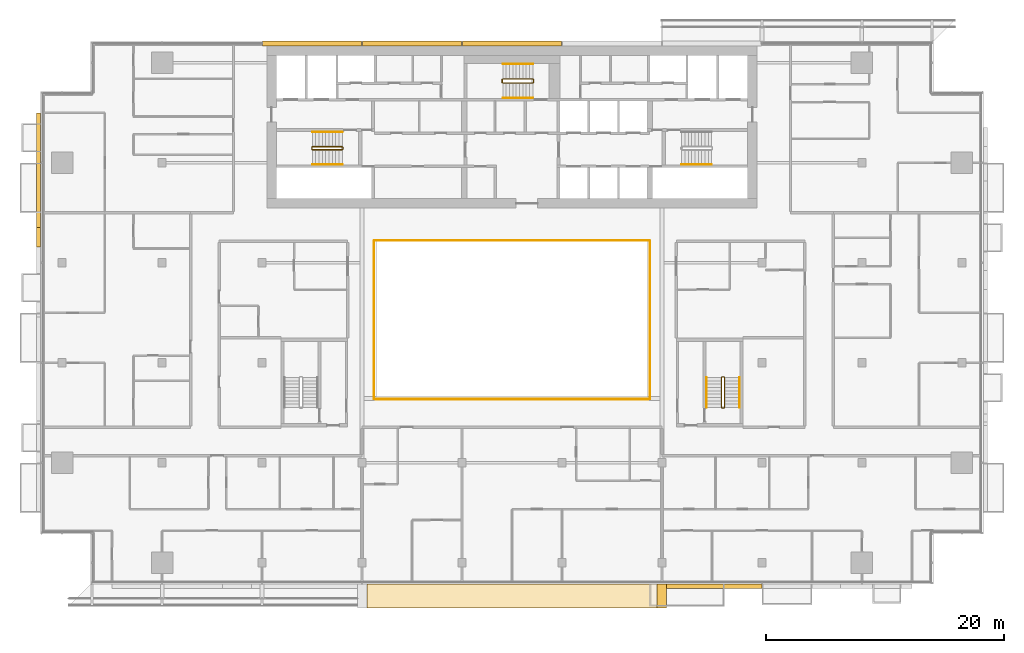
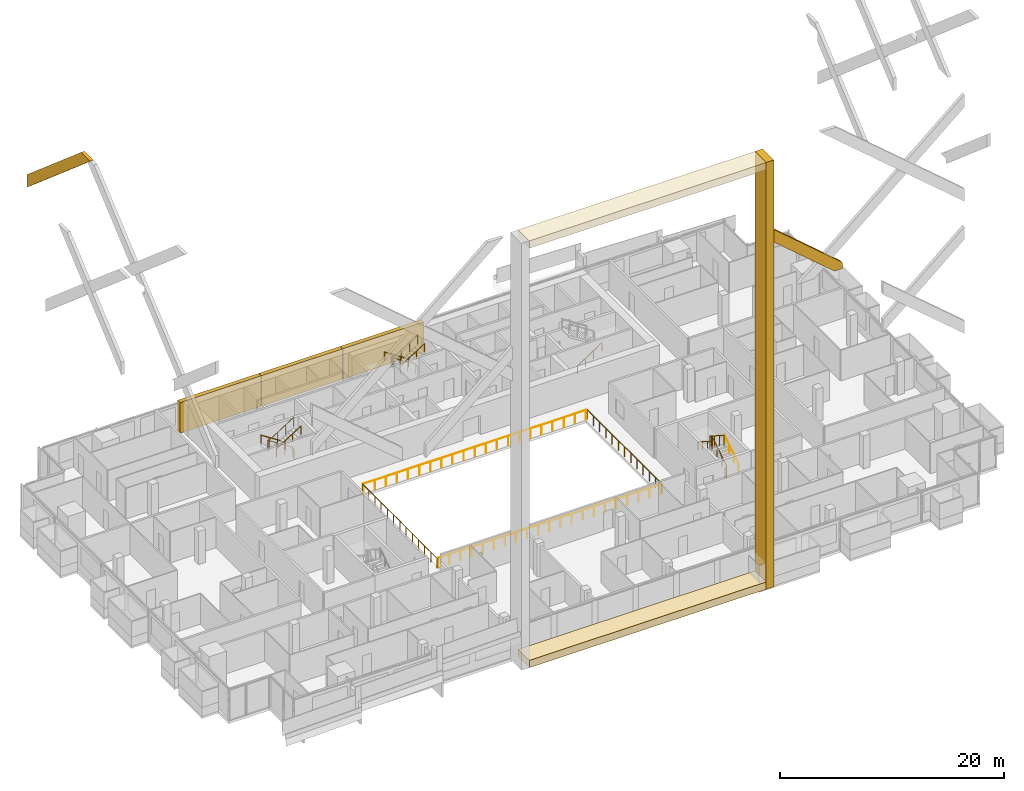
# One storey, part 28 of 31: 14 railings, 8 coverings.
"""IFC4 building model written with IfcOpenShell, lengths in metres."""

from ifc_helpers import new_model, si_unit, direction, frame, origin, origin_2d, place, context, subcontext, project, spatial, polyline, circle, outline, extrude, material, layer, layer_set, type_object, element, save


model = new_model("IFC4")

# Units and contexts
model_context = context("Model", 3, precision=1e-05, world=origin(), true_north=direction((0.0, 1.0)))
body_context = subcontext(model_context, "Body", "Model", "MODEL_VIEW")
ifc_project = project(units=[si_unit("LENGTHUNIT", "METRE"), si_unit("AREAUNIT", "SQUARE_METRE"), si_unit("VOLUMEUNIT", "CUBIC_METRE"), si_unit("PLANEANGLEUNIT", "RADIAN"), si_unit("MASSUNIT", "GRAM", prefix="KILO")], contexts=[model_context])

# Site, building, storey
site_placement = place(None, origin())
site = spatial("IfcSite", under=ifc_project, at=site_placement, CompositionType="ELEMENT")
building_placement = place(site_placement, origin())
building = spatial("IfcBuilding", under=site, at=building_placement, Name="Saffron Gate Tower", CompositionType="ELEMENT")
storey_placement = place(building_placement, frame((0.0, 0.0, 147.449951171875)))
storey = spatial("IfcBuildingStorey", under=building, at=storey_placement, Name="L35", CompositionType="ELEMENT", Elevation=147.449951171875)

# Railings
ifc_material_1 = material(Name="Stainless steel and laminated glass", Category="steel")
railing_type_1 = type_object("IfcRailingType", Name="AG1 Atrium edge guard 1100", PredefinedType="GUARDRAIL", material=ifc_material_1)
railing_1_placement = place(storey_placement, frame((76.02001953125, 45.5400390625, 0.0)))
element("IfcRailing", 1, at=railing_1_placement, inside=storey, type_object=railing_type_1, Name="Guard C1-1", PredefinedType="GUARDRAIL", context=body_context, shape_type="SweptSolid", body=[
    extrude(circle(Radius=0.02392578125, at=origin_2d()), frame((0.0, 0.0, 1.076171875), z_axis=(0.0, 1.0, 0.0), x_axis=(-1.0, 0.0, 0.0)), (0.0, 0.0, 1.0), 13.320068359375),
    extrude(circle(Radius=0.02099609375, at=origin_2d()), origin(), (0.0, 0.0, 1.0), 1.052001953125),
    extrude(circle(Radius=0.02099609375, at=origin_2d()), frame((0.0, 1.110107421875, 0.0)), (0.0, 0.0, 1.0), 1.052001953125),
    extrude(circle(Radius=0.02099609375, at=origin_2d()), frame((0.0, 2.219970703125, 0.0)), (0.0, 0.0, 1.0), 1.052001953125),
    extrude(circle(Radius=0.02099609375, at=origin_2d()), frame((0.0, 3.330078125, 0.0)), (0.0, 0.0, 1.0), 1.052001953125),
    extrude(circle(Radius=0.02099609375, at=origin_2d()), frame((0.0, 4.43994140625, 0.0)), (0.0, 0.0, 1.0), 1.052001953125),
    extrude(circle(Radius=0.02099609375, at=origin_2d()), frame((0.0, 5.550048828125, 0.0)), (0.0, 0.0, 1.0), 1.052001953125),
    extrude(circle(Radius=0.02099609375, at=origin_2d()), frame((0.0, 6.66015625, 0.0)), (0.0, 0.0, 1.0), 1.052001953125),
    extrude(circle(Radius=0.02099609375, at=origin_2d()), frame((0.0, 7.77001953125, 0.0)), (0.0, 0.0, 1.0), 1.052001953125),
    extrude(circle(Radius=0.02099609375, at=origin_2d()), frame((0.0, 8.880126953125, 0.0)), (0.0, 0.0, 1.0), 1.052001953125),
    extrude(circle(Radius=0.02099609375, at=origin_2d()), frame((0.0, 9.989990234375, 0.0)), (0.0, 0.0, 1.0), 1.052001953125),
    extrude(circle(Radius=0.02099609375, at=origin_2d()), frame((0.0, 11.10009765625, 0.0)), (0.0, 0.0, 1.0), 1.052001953125),
    extrude(circle(Radius=0.02099609375, at=origin_2d()), frame((0.0, 12.2099609375, 0.0)), (0.0, 0.0, 1.0), 1.052001953125),
    extrude(circle(Radius=0.02099609375, at=origin_2d()), frame((0.0, 13.320068359375, 0.0)), (0.0, 0.0, 1.0), 1.052001953125),
])
railing_2_placement = place(storey_placement, frame((76.139892578125, 58.860107421875, 0.0)))
element("IfcRailing", 2, at=railing_2_placement, inside=storey, type_object=railing_type_1, Name="Guard C1-2", PredefinedType="GUARDRAIL", context=body_context, shape_type="SweptSolid", body=[
    extrude(circle(Radius=0.02392578125, at=origin_2d()), frame((0.0, 0.0, 1.076171875), z_axis=(1.0, 0.0, 0.0), x_axis=(0.0, 1.0, 0.0)), (0.0, 0.0, 1.0), 22.920166015625),
    extrude(circle(Radius=0.02099609375, at=origin_2d()), origin(), (0.0, 0.0, 1.0), 1.052001953125),
    extrude(circle(Radius=0.02099609375, at=origin_2d()), frame((1.14599609375, 0.0, 0.0)), (0.0, 0.0, 1.0), 1.052001953125),
    extrude(circle(Radius=0.02099609375, at=origin_2d()), frame((2.2919921875, 0.0, 0.0)), (0.0, 0.0, 1.0), 1.052001953125),
    extrude(circle(Radius=0.02099609375, at=origin_2d()), frame((3.43798828125, 0.0, 0.0)), (0.0, 0.0, 1.0), 1.052001953125),
    extrude(circle(Radius=0.02099609375, at=origin_2d()), frame((4.583984375, 0.0, 0.0)), (0.0, 0.0, 1.0), 1.052001953125),
    extrude(circle(Radius=0.02099609375, at=origin_2d()), frame((5.72998046875, 0.0, 0.0)), (0.0, 0.0, 1.0), 1.052001953125),
    extrude(circle(Radius=0.02099609375, at=origin_2d()), frame((6.8759765625, 0.0, 0.0)), (0.0, 0.0, 1.0), 1.052001953125),
    extrude(circle(Radius=0.02099609375, at=origin_2d()), frame((8.02197265625, 0.0, 0.0)), (0.0, 0.0, 1.0), 1.052001953125),
    extrude(circle(Radius=0.02099609375, at=origin_2d()), frame((9.16796875, 0.0, 0.0)), (0.0, 0.0, 1.0), 1.052001953125),
    extrude(circle(Radius=0.02099609375, at=origin_2d()), frame((10.31396484375, 0.0, 0.0)), (0.0, 0.0, 1.0), 1.052001953125),
    extrude(circle(Radius=0.02099609375, at=origin_2d()), frame((11.4599609375, 0.0, 0.0)), (0.0, 0.0, 1.0), 1.052001953125),
    extrude(circle(Radius=0.02099609375, at=origin_2d()), frame((12.606201171875, 0.0, 0.0)), (0.0, 0.0, 1.0), 1.052001953125),
    extrude(circle(Radius=0.02099609375, at=origin_2d()), frame((13.752197265625, 0.0, 0.0)), (0.0, 0.0, 1.0), 1.052001953125),
    extrude(circle(Radius=0.02099609375, at=origin_2d()), frame((14.898193359375, 0.0, 0.0)), (0.0, 0.0, 1.0), 1.052001953125),
    extrude(circle(Radius=0.02099609375, at=origin_2d()), frame((16.044189453125, 0.0, 0.0)), (0.0, 0.0, 1.0), 1.052001953125),
    extrude(circle(Radius=0.02099609375, at=origin_2d()), frame((17.190185546875, 0.0, 0.0)), (0.0, 0.0, 1.0), 1.052001953125),
    extrude(circle(Radius=0.02099609375, at=origin_2d()), frame((18.336181640625, 0.0, 0.0)), (0.0, 0.0, 1.0), 1.052001953125),
    extrude(circle(Radius=0.02099609375, at=origin_2d()), frame((19.482177734375, 0.0, 0.0)), (0.0, 0.0, 1.0), 1.052001953125),
    extrude(circle(Radius=0.02099609375, at=origin_2d()), frame((20.628173828125, 0.0, 0.0)), (0.0, 0.0, 1.0), 1.052001953125),
    extrude(circle(Radius=0.02099609375, at=origin_2d()), frame((21.774169921875, 0.0, 0.0)), (0.0, 0.0, 1.0), 1.052001953125),
    extrude(circle(Radius=0.02099609375, at=origin_2d()), frame((22.920166015625, 0.0, 0.0)), (0.0, 0.0, 1.0), 1.052001953125),
])
railing_3_placement = place(storey_placement, frame((99.179931640625, 58.860107421875, 0.0)))
element("IfcRailing", 3, at=railing_3_placement, inside=storey, type_object=railing_type_1, Name="Guard C1-3", PredefinedType="GUARDRAIL", context=body_context, shape_type="SweptSolid", body=[
    extrude(circle(Radius=0.02392578125, at=origin_2d()), frame((0.0, 0.0, 1.076171875), z_axis=(0.0, -1.0, 0.0), x_axis=(1.0, 0.0, 0.0)), (0.0, 0.0, 1.0), 13.320068359375),
    extrude(circle(Radius=0.02099609375, at=origin_2d()), origin(), (0.0, 0.0, 1.0), 1.052001953125),
    extrude(circle(Radius=0.02099609375, at=origin_2d()), frame((0.0, -1.110107421875, 0.0)), (0.0, 0.0, 1.0), 1.052001953125),
    extrude(circle(Radius=0.02099609375, at=origin_2d()), frame((0.0, -2.219970703125, 0.0)), (0.0, 0.0, 1.0), 1.052001953125),
    extrude(circle(Radius=0.02099609375, at=origin_2d()), frame((0.0, -3.330078125, 0.0)), (0.0, 0.0, 1.0), 1.052001953125),
    extrude(circle(Radius=0.02099609375, at=origin_2d()), frame((0.0, -4.43994140625, 0.0)), (0.0, 0.0, 1.0), 1.052001953125),
    extrude(circle(Radius=0.02099609375, at=origin_2d()), frame((0.0, -5.550048828125, 0.0)), (0.0, 0.0, 1.0), 1.052001953125),
    extrude(circle(Radius=0.02099609375, at=origin_2d()), frame((0.0, -6.66015625, 0.0)), (0.0, 0.0, 1.0), 1.052001953125),
    extrude(circle(Radius=0.02099609375, at=origin_2d()), frame((0.0, -7.77001953125, 0.0)), (0.0, 0.0, 1.0), 1.052001953125),
    extrude(circle(Radius=0.02099609375, at=origin_2d()), frame((0.0, -8.880126953125, 0.0)), (0.0, 0.0, 1.0), 1.052001953125),
    extrude(circle(Radius=0.02099609375, at=origin_2d()), frame((0.0, -9.989990234375, 0.0)), (0.0, 0.0, 1.0), 1.052001953125),
    extrude(circle(Radius=0.02099609375, at=origin_2d()), frame((0.0, -11.10009765625, 0.0)), (0.0, 0.0, 1.0), 1.052001953125),
    extrude(circle(Radius=0.02099609375, at=origin_2d()), frame((0.0, -12.2099609375, 0.0)), (0.0, 0.0, 1.0), 1.052001953125),
    extrude(circle(Radius=0.02099609375, at=origin_2d()), frame((0.0, -13.320068359375, 0.0)), (0.0, 0.0, 1.0), 1.052001953125),
])
railing_4_placement = place(storey_placement, frame((99.06005859375, 45.5400390625, 0.0)))
element("IfcRailing", 4, at=railing_4_placement, inside=storey, type_object=railing_type_1, Name="Guard C1-4", PredefinedType="GUARDRAIL", context=body_context, shape_type="SweptSolid", body=[
    extrude(circle(Radius=0.02392578125, at=origin_2d()), frame((0.0, 0.0, 1.076171875), z_axis=(-1.0, 0.0, 0.0), x_axis=(0.0, -1.0, 0.0)), (0.0, 0.0, 1.0), 22.920166015625),
    extrude(circle(Radius=0.02099609375, at=origin_2d()), origin(), (0.0, 0.0, 1.0), 1.052001953125),
    extrude(circle(Radius=0.02099609375, at=origin_2d()), frame((-1.14599609375, 0.0, 0.0)), (0.0, 0.0, 1.0), 1.052001953125),
    extrude(circle(Radius=0.02099609375, at=origin_2d()), frame((-2.2919921875, 0.0, 0.0)), (0.0, 0.0, 1.0), 1.052001953125),
    extrude(circle(Radius=0.02099609375, at=origin_2d()), frame((-3.43798828125, 0.0, 0.0)), (0.0, 0.0, 1.0), 1.052001953125),
    extrude(circle(Radius=0.02099609375, at=origin_2d()), frame((-4.583984375, 0.0, 0.0)), (0.0, 0.0, 1.0), 1.052001953125),
    extrude(circle(Radius=0.02099609375, at=origin_2d()), frame((-5.72998046875, 0.0, 0.0)), (0.0, 0.0, 1.0), 1.052001953125),
    extrude(circle(Radius=0.02099609375, at=origin_2d()), frame((-6.8759765625, 0.0, 0.0)), (0.0, 0.0, 1.0), 1.052001953125),
    extrude(circle(Radius=0.02099609375, at=origin_2d()), frame((-8.02197265625, 0.0, 0.0)), (0.0, 0.0, 1.0), 1.052001953125),
    extrude(circle(Radius=0.02099609375, at=origin_2d()), frame((-9.16796875, 0.0, 0.0)), (0.0, 0.0, 1.0), 1.052001953125),
    extrude(circle(Radius=0.02099609375, at=origin_2d()), frame((-10.31396484375, 0.0, 0.0)), (0.0, 0.0, 1.0), 1.052001953125),
    extrude(circle(Radius=0.02099609375, at=origin_2d()), frame((-11.4599609375, 0.0, 0.0)), (0.0, 0.0, 1.0), 1.052001953125),
    extrude(circle(Radius=0.02099609375, at=origin_2d()), frame((-12.606201171875, 0.0, 0.0)), (0.0, 0.0, 1.0), 1.052001953125),
    extrude(circle(Radius=0.02099609375, at=origin_2d()), frame((-13.752197265625, 0.0, 0.0)), (0.0, 0.0, 1.0), 1.052001953125),
    extrude(circle(Radius=0.02099609375, at=origin_2d()), frame((-14.898193359375, 0.0, 0.0)), (0.0, 0.0, 1.0), 1.052001953125),
    extrude(circle(Radius=0.02099609375, at=origin_2d()), frame((-16.044189453125, 0.0, 0.0)), (0.0, 0.0, 1.0), 1.052001953125),
    extrude(circle(Radius=0.02099609375, at=origin_2d()), frame((-17.190185546875, 0.0, 0.0)), (0.0, 0.0, 1.0), 1.052001953125),
    extrude(circle(Radius=0.02099609375, at=origin_2d()), frame((-18.336181640625, 0.0, 0.0)), (0.0, 0.0, 1.0), 1.052001953125),
    extrude(circle(Radius=0.02099609375, at=origin_2d()), frame((-19.482177734375, 0.0, 0.0)), (0.0, 0.0, 1.0), 1.052001953125),
    extrude(circle(Radius=0.02099609375, at=origin_2d()), frame((-20.628173828125, 0.0, 0.0)), (0.0, 0.0, 1.0), 1.052001953125),
    extrude(circle(Radius=0.02099609375, at=origin_2d()), frame((-21.774169921875, 0.0, 0.0)), (0.0, 0.0, 1.0), 1.052001953125),
    extrude(circle(Radius=0.02099609375, at=origin_2d()), frame((-22.920166015625, 0.0, 0.0)), (0.0, 0.0, 1.0), 1.052001953125),
])

# Coverings
ifc_material_2 = material(Name="Ceramic-printed bronze insulated panel")
ifc_layer_1 = layer(ifc_material_2, 0.43994140625)
ifc_layer_set_1 = layer_set([ifc_layer_1], Name="CLD3 ceramic-printed cladding panel 440")
covering_type_1 = type_object("IfcCoveringType", Name="CLD3 ceramic-printed cladding panel 440", PredefinedType="CLADDING", material=ifc_layer_set_1)
covering_1_placement = place(storey_placement, origin())
element("IfcCovering", 5, at=covering_1_placement, inside=storey, type_object=covering_type_1, Name="CLADDING ceramic-printed panel", PredefinedType="CLADDING", context=body_context, shape_type="SweptSolid", body=[
    extrude(outline(polyline([(91.764892578125, 75.639892578125), (83.43505859375, 75.639892578125), (83.43505859375, 75.199951171875), (91.764892578125, 75.199951171875), (91.764892578125, 75.639892578125)])), origin(), (0.0, 0.0, 1.0), 3.320068359375),
])
covering_2_placement = place(storey_placement, origin())
element("IfcCovering", 6, at=covering_2_placement, inside=storey, type_object=covering_type_1, Name="CLADDING ceramic-printed panel", PredefinedType="CLADDING", context=body_context, shape_type="SweptSolid", body=[
    extrude(outline(polyline([(83.364990234375, 75.639892578125), (75.034912109375, 75.639892578125), (75.034912109375, 75.199951171875), (83.364990234375, 75.199951171875), (83.364990234375, 75.639892578125)])), origin(), (0.0, 0.0, 1.0), 3.320068359375),
])
covering_3_placement = place(storey_placement, origin())
element("IfcCovering", 7, at=covering_3_placement, inside=storey, type_object=covering_type_1, Name="CLADDING ceramic-printed panel", PredefinedType="CLADDING", context=body_context, shape_type="SweptSolid", body=[
    extrude(outline(polyline([(74.965087890625, 75.639892578125), (66.635009765625, 75.639892578125), (66.635009765625, 75.199951171875), (74.965087890625, 75.199951171875), (74.965087890625, 75.639892578125)])), origin(), (0.0, 0.0, 1.0), 3.320068359375),
])

# Railings
railing_type_2 = type_object("IfcRailingType", Name="CR1 Stair guard 1100", PredefinedType="GUARDRAIL", material=ifc_material_1)
railing_5_placement = place(storey_placement, frame((73.39990234375, 66.550048828125, 0.0)))
element("IfcRailing", 8, at=railing_5_placement, inside=storey, type_object=railing_type_2, Name="L35 ST-A stair guard 1", PredefinedType="GUARDRAIL", context=body_context, shape_type="SweptSolid", body=[
    extrude(circle(Radius=0.02392578125, at=origin_2d()), frame((0.0, 0.0, 1.076171875), z_axis=(0.0, 1.0, 0.0), x_axis=(-1.0, 0.0, 0.0)), (0.0, 0.0, 1.0), 0.14990234375),
    extrude(circle(Radius=0.02392578125, at=origin_2d()), frame((0.0, 0.14990234375, 1.076171875), z_axis=(-0.257669022063, 0.258932105505, 0.930892496375), x_axis=(-0.708833529934, -0.705375805398, 0.0)), (0.0, 0.0, 1.0), 0.193359375),
    extrude(circle(Radius=0.02392578125, at=origin_2d()), frame((-0.0498046875, 0.199951171875, 1.255859375), z_axis=(-0.841162588446, 0.0, 0.540782303519), x_axis=(0.0, -1.0, 0.0)), (0.0, 0.0, 1.0), 2.995849609375),
    extrude(circle(Radius=0.02392578125, at=origin_2d()), frame((-2.56982421875, 0.199951171875, 2.8759765625), z_axis=(-0.707106781187, -0.707106781187, 0.0), x_axis=(0.707106781187, -0.707106781187, 0.0)), (0.0, 0.0, 1.0), 0.07080078125),
    extrude(circle(Radius=0.02392578125, at=origin_2d()), frame((-2.619873046875, 0.14990234375, 2.8759765625), z_axis=(0.0, -1.0, 0.0), x_axis=(1.0, 0.0, 0.0)), (0.0, 0.0, 1.0), 0.14990234375),
    extrude(circle(Radius=0.02392578125, at=origin_2d()), frame((-2.619873046875, 0.0, 2.8759765625), z_axis=(0.258847668887, -0.258847668887, 0.930588936439), x_axis=(0.707106781187, 0.707106781187, 0.0)), (0.0, 0.0, 1.0), 0.193359375),
    extrude(circle(Radius=0.02392578125, at=origin_2d()), frame((-2.56982421875, -0.050048828125, 3.05615234375), z_axis=(0.841162588446, 0.0, 0.540782303519), x_axis=(0.0, 1.0, 0.0)), (0.0, 0.0, 1.0), 2.995849609375),
    extrude(circle(Radius=0.02099609375, at=origin_2d()), origin(), (0.0, 0.0, 1.0), 1.052001953125),
    extrude(circle(Radius=0.02099609375, at=origin_2d()), frame((0.0, 0.14990234375, 0.0)), (0.0, 0.0, 1.0), 1.052001953125),
    extrude(circle(Radius=0.02099609375, at=origin_2d()), frame((-0.0498046875, 0.199951171875, 0.179931640625)), (0.0, 0.0, 1.0), 1.052001953125),
    extrude(circle(Radius=0.02099609375, at=origin_2d()), frame((-0.889892578125, 0.199951171875, 0.719970703125)), (0.0, 0.0, 1.0), 1.052001953125),
    extrude(circle(Radius=0.02099609375, at=origin_2d()), frame((-1.729736328125, 0.199951171875, 1.260009765625)), (0.0, 0.0, 1.0), 1.052001953125),
    extrude(circle(Radius=0.02099609375, at=origin_2d()), frame((-2.56982421875, 0.199951171875, 1.800048828125)), (0.0, 0.0, 1.0), 1.052001953125),
    extrude(circle(Radius=0.02099609375, at=origin_2d()), frame((-2.619873046875, 0.14990234375, 1.800048828125)), (0.0, 0.0, 1.0), 1.052001953125),
    extrude(circle(Radius=0.02099609375, at=origin_2d()), frame((-2.619873046875, 0.0, 1.800048828125)), (0.0, 0.0, 1.0), 1.052001953125),
    extrude(circle(Radius=0.02099609375, at=origin_2d()), frame((-2.56982421875, -0.050048828125, 1.97998046875)), (0.0, 0.0, 1.0), 1.052001953125),
    extrude(circle(Radius=0.02099609375, at=origin_2d()), frame((-1.729736328125, -0.050048828125, 2.52001953125)), (0.0, 0.0, 1.0), 1.052001953125),
    extrude(circle(Radius=0.02099609375, at=origin_2d()), frame((-0.889892578125, -0.050048828125, 3.06005859375)), (0.0, 0.0, 1.0), 1.052001953125),
    extrude(circle(Radius=0.02099609375, at=origin_2d()), frame((-0.0498046875, -0.050048828125, 3.60009765625)), (0.0, 0.0, 1.0), 1.052001953125),
])
railing_6_placement = place(storey_placement, frame((89.39990234375, 72.14990234375, 0.0)))
element("IfcRailing", 9, at=railing_6_placement, inside=storey, type_object=railing_type_2, Name="L35 ST-C stair guard 1", PredefinedType="GUARDRAIL", context=body_context, shape_type="SweptSolid", body=[
    extrude(circle(Radius=0.02392578125, at=origin_2d()), frame((0.0, 0.0, 1.076171875), z_axis=(0.0, 1.0, 0.0), x_axis=(-1.0, 0.0, 0.0)), (0.0, 0.0, 1.0), 0.25),
    extrude(circle(Radius=0.02392578125, at=origin_2d()), frame((0.0, 0.25, 1.076171875), z_axis=(-0.257669022063, 0.258932105505, 0.930892496375), x_axis=(-0.708833529934, -0.705375805398, 0.0)), (0.0, 0.0, 1.0), 0.193359375),
    extrude(circle(Radius=0.02392578125, at=origin_2d()), frame((-0.0498046875, 0.300048828125, 1.255859375), z_axis=(-0.841162588446, 0.0, 0.540782303519), x_axis=(0.0, -1.0, 0.0)), (0.0, 0.0, 1.0), 2.995849609375),
    extrude(circle(Radius=0.02392578125, at=origin_2d()), frame((-2.56982421875, 0.300048828125, 2.8759765625), z_axis=(-0.707106781187, -0.707106781187, 0.0), x_axis=(0.707106781187, -0.707106781187, 0.0)), (0.0, 0.0, 1.0), 0.07080078125),
    extrude(circle(Radius=0.02392578125, at=origin_2d()), frame((-2.619873046875, 0.25, 2.8759765625), z_axis=(0.0, -1.0, 0.0), x_axis=(1.0, 0.0, 0.0)), (0.0, 0.0, 1.0), 0.25),
    extrude(circle(Radius=0.02392578125, at=origin_2d()), frame((-2.619873046875, 0.0, 2.8759765625), z_axis=(0.258932105505, -0.257669022063, 0.930892496375), x_axis=(0.705375805398, 0.708833529934, 0.0)), (0.0, 0.0, 1.0), 0.193359375),
    extrude(circle(Radius=0.02392578125, at=origin_2d()), frame((-2.56982421875, -0.0498046875, 3.05615234375), z_axis=(0.841162588446, 0.0, 0.540782303519), x_axis=(0.0, 1.0, 0.0)), (0.0, 0.0, 1.0), 2.995849609375),
    extrude(circle(Radius=0.02099609375, at=origin_2d()), origin(), (0.0, 0.0, 1.0), 1.052001953125),
    extrude(circle(Radius=0.02099609375, at=origin_2d()), frame((0.0, 0.25, 0.0)), (0.0, 0.0, 1.0), 1.052001953125),
    extrude(circle(Radius=0.02099609375, at=origin_2d()), frame((-0.0498046875, 0.300048828125, 0.179931640625)), (0.0, 0.0, 1.0), 1.052001953125),
    extrude(circle(Radius=0.02099609375, at=origin_2d()), frame((-0.889892578125, 0.300048828125, 0.719970703125)), (0.0, 0.0, 1.0), 1.052001953125),
    extrude(circle(Radius=0.02099609375, at=origin_2d()), frame((-1.729736328125, 0.300048828125, 1.260009765625)), (0.0, 0.0, 1.0), 1.052001953125),
    extrude(circle(Radius=0.02099609375, at=origin_2d()), frame((-2.56982421875, 0.300048828125, 1.800048828125)), (0.0, 0.0, 1.0), 1.052001953125),
    extrude(circle(Radius=0.02099609375, at=origin_2d()), frame((-2.619873046875, 0.25, 1.800048828125)), (0.0, 0.0, 1.0), 1.052001953125),
    extrude(circle(Radius=0.02099609375, at=origin_2d()), frame((-2.619873046875, 0.0, 1.800048828125)), (0.0, 0.0, 1.0), 1.052001953125),
    extrude(circle(Radius=0.02099609375, at=origin_2d()), frame((-2.56982421875, -0.0498046875, 1.97998046875)), (0.0, 0.0, 1.0), 1.052001953125),
    extrude(circle(Radius=0.02099609375, at=origin_2d()), frame((-1.729736328125, -0.0498046875, 2.52001953125)), (0.0, 0.0, 1.0), 1.052001953125),
    extrude(circle(Radius=0.02099609375, at=origin_2d()), frame((-0.889892578125, -0.0498046875, 3.06005859375)), (0.0, 0.0, 1.0), 1.052001953125),
    extrude(circle(Radius=0.02099609375, at=origin_2d()), frame((-0.0498046875, -0.0498046875, 3.60009765625)), (0.0, 0.0, 1.0), 1.052001953125),
])
railing_7_placement = place(storey_placement, frame((105.25, 44.800048828125, 0.0)))
element("IfcRailing", 10, at=railing_7_placement, inside=storey, type_object=railing_type_2, Name="L35 ST-E stair guard 1", PredefinedType="GUARDRAIL", context=body_context, shape_type="SweptSolid", body=[
    extrude(circle(Radius=0.02392578125, at=origin_2d()), frame((0.0, 0.0, 1.076171875), z_axis=(1.0, 0.0, 0.0), x_axis=(0.0, 1.0, 0.0)), (0.0, 0.0, 1.0), 0.14990234375),
    extrude(circle(Radius=0.02392578125, at=origin_2d()), frame((0.14990234375, 0.0, 1.076171875), z_axis=(0.258847668887, 0.258847668887, 0.930588936439), x_axis=(-0.707106781187, 0.707106781187, 0.0)), (0.0, 0.0, 1.0), 0.193359375),
    extrude(circle(Radius=0.02392578125, at=origin_2d()), frame((0.199951171875, 0.050048828125, 1.255859375), z_axis=(0.0, 0.841162588446, 0.540782303519), x_axis=(-1.0, 0.0, 0.0)), (0.0, 0.0, 1.0), 2.995849609375),
    extrude(circle(Radius=0.02392578125, at=origin_2d()), frame((0.199951171875, 2.570068359375, 2.8759765625), z_axis=(-0.708833529934, 0.705375805398, 0.0), x_axis=(-0.705375805398, -0.708833529934, 0.0)), (0.0, 0.0, 1.0), 0.070556640625),
    extrude(circle(Radius=0.02392578125, at=origin_2d()), frame((0.14990234375, 2.619873046875, 2.8759765625), z_axis=(-1.0, 0.0, 0.0), x_axis=(0.0, -1.0, 0.0)), (0.0, 0.0, 1.0), 0.14990234375),
    extrude(circle(Radius=0.02392578125, at=origin_2d()), frame((0.0, 2.619873046875, 2.8759765625), z_axis=(-0.258932105505, -0.257669022063, 0.930892496375), x_axis=(0.705375805398, -0.708833529934, 0.0)), (0.0, 0.0, 1.0), 0.193359375),
    extrude(circle(Radius=0.02392578125, at=origin_2d()), frame((-0.050048828125, 2.570068359375, 3.05615234375), z_axis=(0.0, -0.841162588446, 0.540782303519), x_axis=(1.0, 0.0, 0.0)), (0.0, 0.0, 1.0), 2.995849609375),
    extrude(circle(Radius=0.02099609375, at=origin_2d()), origin(), (0.0, 0.0, 1.0), 1.052001953125),
    extrude(circle(Radius=0.02099609375, at=origin_2d()), frame((0.14990234375, 0.0, 0.0)), (0.0, 0.0, 1.0), 1.052001953125),
    extrude(circle(Radius=0.02099609375, at=origin_2d()), frame((0.199951171875, 0.050048828125, 0.179931640625)), (0.0, 0.0, 1.0), 1.052001953125),
    extrude(circle(Radius=0.02099609375, at=origin_2d()), frame((0.199951171875, 0.89013671875, 0.719970703125)), (0.0, 0.0, 1.0), 1.052001953125),
    extrude(circle(Radius=0.02099609375, at=origin_2d()), frame((0.199951171875, 1.72998046875, 1.260009765625)), (0.0, 0.0, 1.0), 1.052001953125),
    extrude(circle(Radius=0.02099609375, at=origin_2d()), frame((0.199951171875, 2.570068359375, 1.800048828125)), (0.0, 0.0, 1.0), 1.052001953125),
    extrude(circle(Radius=0.02099609375, at=origin_2d()), frame((0.14990234375, 2.619873046875, 1.800048828125)), (0.0, 0.0, 1.0), 1.052001953125),
    extrude(circle(Radius=0.02099609375, at=origin_2d()), frame((0.0, 2.619873046875, 1.800048828125)), (0.0, 0.0, 1.0), 1.052001953125),
    extrude(circle(Radius=0.02099609375, at=origin_2d()), frame((-0.050048828125, 2.570068359375, 1.97998046875)), (0.0, 0.0, 1.0), 1.052001953125),
    extrude(circle(Radius=0.02099609375, at=origin_2d()), frame((-0.050048828125, 1.72998046875, 2.52001953125)), (0.0, 0.0, 1.0), 1.052001953125),
    extrude(circle(Radius=0.02099609375, at=origin_2d()), frame((-0.050048828125, 0.89013671875, 3.06005859375)), (0.0, 0.0, 1.0), 1.052001953125),
    extrude(circle(Radius=0.02099609375, at=origin_2d()), frame((-0.050048828125, 0.050048828125, 3.60009765625)), (0.0, 0.0, 1.0), 1.052001953125),
])
ifc_material_3 = material(Name="Stainless steel", Category="steel")
railing_type_3 = type_object("IfcRailingType", Name="CR2 Stair handrail 900", PredefinedType="HANDRAIL", material=ifc_material_3)
railing_8_placement = place(storey_placement, frame((73.35009765625, 68.0, 0.179931640625)))
element("IfcRailing", 11, at=railing_8_placement, inside=storey, type_object=railing_type_3, Name="L35 ST-A stair handrail 1", PredefinedType="HANDRAIL", context=body_context, shape_type="SweptSolid", body=[
    extrude(circle(Radius=0.02392578125, at=origin_2d()), frame((0.0, 0.0, 0.8759765625), z_axis=(-0.841162588446, 0.0, 0.540782303519), x_axis=(0.0, -1.0, 0.0)), (0.0, 0.0, 1.0), 2.995849609375),
    extrude(circle(Radius=0.02099609375, at=origin_2d()), origin(), (0.0, 0.0, 1.0), 0.851806640625),
    extrude(circle(Radius=0.02099609375, at=origin_2d()), frame((-0.840087890625, 0.0, 0.5400390625)), (0.0, 0.0, 1.0), 0.851806640625),
    extrude(circle(Radius=0.02099609375, at=origin_2d()), frame((-1.679931640625, 0.0, 1.080078125)), (0.0, 0.0, 1.0), 0.851806640625),
    extrude(circle(Radius=0.02099609375, at=origin_2d()), frame((-2.52001953125, 0.0, 1.6201171875)), (0.0, 0.0, 1.0), 0.851806640625),
])
for number, where, name in (
    (12, (70.830078125, 65.25, 1.97998046875), "L35 ST-A stair handrail 2"),
    (13, (101.85009765625, 65.25, 0.179931640625), "L35 ST-B stair handrail 1"),
):
    element("IfcRailing", number, at=place(storey_placement, frame(where)), inside=storey, type_object=railing_type_3, Name=name, PredefinedType="HANDRAIL", context=body_context, shape_type="SweptSolid", body=[
        extrude(circle(Radius=0.02392578125, at=origin_2d()), frame((0.0, 0.0, 0.8759765625), z_axis=(0.841162588446, 0.0, 0.540782303519), x_axis=(0.0, 1.0, 0.0)), (0.0, 0.0, 1.0), 2.995849609375),
        extrude(circle(Radius=0.02099609375, at=origin_2d()), origin(), (0.0, 0.0, 1.0), 0.851806640625),
        extrude(circle(Radius=0.02099609375, at=origin_2d()), frame((0.840087890625, 0.0, 0.5400390625)), (0.0, 0.0, 1.0), 0.851806640625),
        extrude(circle(Radius=0.02099609375, at=origin_2d()), frame((1.679931640625, 0.0, 1.080078125)), (0.0, 0.0, 1.0), 0.851806640625),
        extrude(circle(Radius=0.02099609375, at=origin_2d()), frame((2.52001953125, 0.0, 1.6201171875)), (0.0, 0.0, 1.0), 0.851806640625),
    ])
railing_9_placement = place(storey_placement, frame((89.35009765625, 73.699951171875, 0.179931640625)))
element("IfcRailing", 14, at=railing_9_placement, inside=storey, type_object=railing_type_3, Name="L35 ST-C stair handrail 1", PredefinedType="HANDRAIL", context=body_context, shape_type="SweptSolid", body=[
    extrude(circle(Radius=0.02392578125, at=origin_2d()), frame((0.0, 0.0, 0.8759765625), z_axis=(-0.841162588446, 0.0, 0.540782303519), x_axis=(0.0, -1.0, 0.0)), (0.0, 0.0, 1.0), 2.995849609375),
    extrude(circle(Radius=0.02099609375, at=origin_2d()), origin(), (0.0, 0.0, 1.0), 0.851806640625),
    extrude(circle(Radius=0.02099609375, at=origin_2d()), frame((-0.840087890625, 0.0, 0.5400390625)), (0.0, 0.0, 1.0), 0.851806640625),
    extrude(circle(Radius=0.02099609375, at=origin_2d()), frame((-1.679931640625, 0.0, 1.080078125)), (0.0, 0.0, 1.0), 0.851806640625),
    extrude(circle(Radius=0.02099609375, at=origin_2d()), frame((-2.52001953125, 0.0, 1.6201171875)), (0.0, 0.0, 1.0), 0.851806640625),
])
railing_10_placement = place(storey_placement, frame((86.830078125, 70.85009765625, 1.97998046875)))
element("IfcRailing", 15, at=railing_10_placement, inside=storey, type_object=railing_type_3, Name="L35 ST-C stair handrail 2", PredefinedType="HANDRAIL", context=body_context, shape_type="SweptSolid", body=[
    extrude(circle(Radius=0.02392578125, at=origin_2d()), frame((0.0, 0.0, 0.8759765625), z_axis=(0.841162588446, 0.0, 0.540782303519), x_axis=(0.0, 1.0, 0.0)), (0.0, 0.0, 1.0), 2.995849609375),
    extrude(circle(Radius=0.02099609375, at=origin_2d()), origin(), (0.0, 0.0, 1.0), 0.851806640625),
    extrude(circle(Radius=0.02099609375, at=origin_2d()), frame((0.840087890625, 0.0, 0.5400390625)), (0.0, 0.0, 1.0), 0.851806640625),
    extrude(circle(Radius=0.02099609375, at=origin_2d()), frame((1.679931640625, 0.0, 1.080078125)), (0.0, 0.0, 1.0), 0.851806640625),
    extrude(circle(Radius=0.02099609375, at=origin_2d()), frame((2.52001953125, 0.0, 1.6201171875)), (0.0, 0.0, 1.0), 0.851806640625),
])
railing_11_placement = place(storey_placement, frame((106.699951171875, 44.85009765625, 0.179931640625)))
element("IfcRailing", 16, at=railing_11_placement, inside=storey, type_object=railing_type_3, Name="L35 ST-E stair handrail 1", PredefinedType="HANDRAIL", context=body_context, shape_type="SweptSolid", body=[
    extrude(circle(Radius=0.02392578125, at=origin_2d()), frame((0.0, 0.0, 0.8759765625), z_axis=(0.0, 0.841162588446, 0.540782303519), x_axis=(-1.0, 0.0, 0.0)), (0.0, 0.0, 1.0), 2.995849609375),
    extrude(circle(Radius=0.02099609375, at=origin_2d()), origin(), (0.0, 0.0, 1.0), 0.851806640625),
    extrude(circle(Radius=0.02099609375, at=origin_2d()), frame((0.0, 0.840087890625, 0.5400390625)), (0.0, 0.0, 1.0), 0.851806640625),
    extrude(circle(Radius=0.02099609375, at=origin_2d()), frame((0.0, 1.679931640625, 1.080078125)), (0.0, 0.0, 1.0), 0.851806640625),
    extrude(circle(Radius=0.02099609375, at=origin_2d()), frame((0.0, 2.52001953125, 1.6201171875)), (0.0, 0.0, 1.0), 0.851806640625),
])
railing_12_placement = place(storey_placement, frame((103.949951171875, 47.3701171875, 1.97998046875)))
element("IfcRailing", 17, at=railing_12_placement, inside=storey, type_object=railing_type_3, Name="L35 ST-E stair handrail 2", PredefinedType="HANDRAIL", context=body_context, shape_type="SweptSolid", body=[
    extrude(circle(Radius=0.02392578125, at=origin_2d()), frame((0.0, 0.0, 0.8759765625), z_axis=(0.0, -0.841162588446, 0.540782303519), x_axis=(1.0, 0.0, 0.0)), (0.0, 0.0, 1.0), 2.995849609375),
    extrude(circle(Radius=0.02099609375, at=origin_2d()), origin(), (0.0, 0.0, 1.0), 0.851806640625),
    extrude(circle(Radius=0.02099609375, at=origin_2d()), frame((0.0, -0.840087890625, 0.5400390625)), (0.0, 0.0, 1.0), 0.851806640625),
    extrude(circle(Radius=0.02099609375, at=origin_2d()), frame((0.0, -1.679931640625, 1.080078125)), (0.0, 0.0, 1.0), 0.851806640625),
    extrude(circle(Radius=0.02099609375, at=origin_2d()), frame((0.0, -2.52001953125, 1.6201171875)), (0.0, 0.0, 1.0), 0.851806640625),
])

# Coverings
ifc_layer_2 = layer(ifc_material_2, 0.800048828125)
ifc_layer_set_2 = layer_set([ifc_layer_2], Name="FN1 atrium fin")
covering_type_2 = type_object("IfcCoveringType", Name="FN1 atrium fin", PredefinedType="CLADDING", material=ifc_layer_set_2)
covering_4_placement = place(storey_placement, origin())
element("IfcCovering", 18, at=covering_4_placement, inside=storey, type_object=covering_type_2, Name="CLADDING atrium fin", PredefinedType="CLADDING", context=body_context, shape_type="SweptSolid", body=[
    extrude(outline(polyline([(99.800048828125, 30.0), (100.60009765625, 30.0), (100.60009765625, 28.0), (99.800048828125, 28.0), (99.800048828125, 30.0)])), origin(), (0.0, 0.0, 1.0), 46.5),
])
for number, where, name in (
    (19, (0.0, 0.0, 0.0), "CLADDING atrium lintel fin"),
    (20, (0.0, 0.0, 45.699951171875), "CLADDING atrium lintel fin"),
):
    element("IfcCovering", number, at=place(storey_placement, frame(where)), inside=storey, type_object=covering_type_2, Name=name, PredefinedType="CLADDING", context=body_context, shape_type="SweptSolid", body=[
        extrude(outline(polyline([(75.39990234375, 30.0), (99.800048828125, 30.0), (99.800048828125, 28.0), (75.39990234375, 28.0), (75.39990234375, 30.0)])), origin(), (0.0, 0.0, 1.0), 0.800048828125),
    ])
ifc_layer_3 = layer(ifc_material_2, 0.35009765625)
ifc_layer_set_3 = layer_set([ifc_layer_3], Name="LZ1 lozenge lattice bar 1600")
covering_type_3 = type_object("IfcCoveringType", Name="LZ1 lozenge lattice bar 1600", PredefinedType="CLADDING", material=ifc_layer_set_3)
covering_5_placement = place(storey_placement, frame((107.8115234375, 29.64990234375, 30.847412109375), z_axis=(0.0, -1.0, 0.0), x_axis=(0.999585751511, 0.0, 0.028780642381)))
element("IfcCovering", 21, at=covering_5_placement, inside=storey, type_object=covering_type_3, Name="CLADDING lozenge lattice bar", PredefinedType="CLADDING", context=body_context, shape_type="SweptSolid", body=[
    extrude(outline(polyline([(0.0, 0.0), (0.7889010198052955, 0.0), (0.7987803125757169, 0.34311952310173255), (0.8082661200010859, 0.6725728347570235), (-7.381181396548569, 8.111303049653953), (-7.420649381962122, 6.740533233677829), (0.0, 0.0)])), origin(), (0.0, 0.0, -1.0), 0.35009765625),
])
covering_6_placement = place(storey_placement, frame((47.64990234375, 69.60009765625, 36.857177734375), z_axis=(-1.0, 0.0, 0.0), x_axis=(0.0, -0.759257765443, 0.65079001653)))
element("IfcCovering", 22, at=covering_6_placement, inside=storey, type_object=covering_type_3, Name="CLADDING lozenge lattice bar", PredefinedType="CLADDING", context=body_context, shape_type="SweptSolid", body=[
    extrude(outline(polyline([(0.0, 0.0), (14.817102322871136, -8.881784197001252e-16), (13.602401117561943, 1.041168695878846), (0.8924530085077806, 1.0411989425029375), (0.0, 0.0)])), origin(), (0.0, 0.0, -1.0), 0.35009765625),
])

save(model, "model.ifc")
